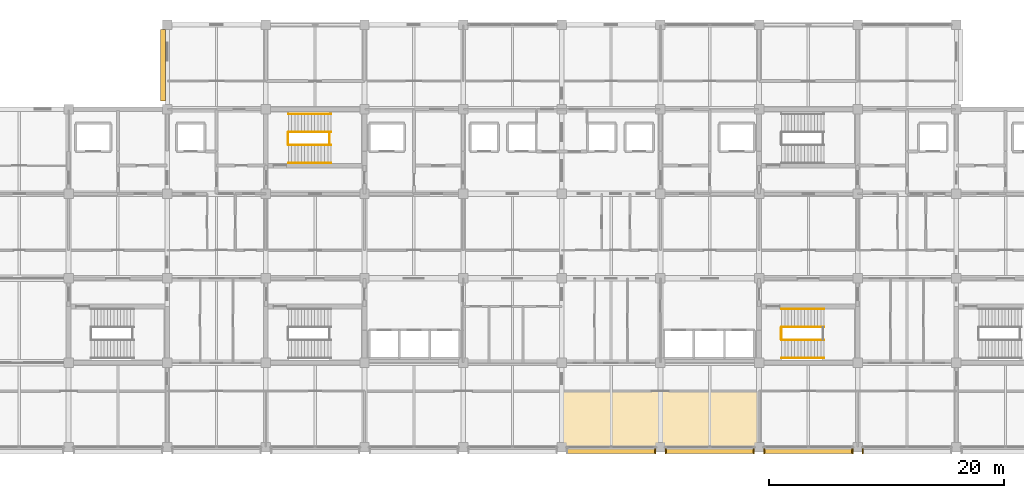
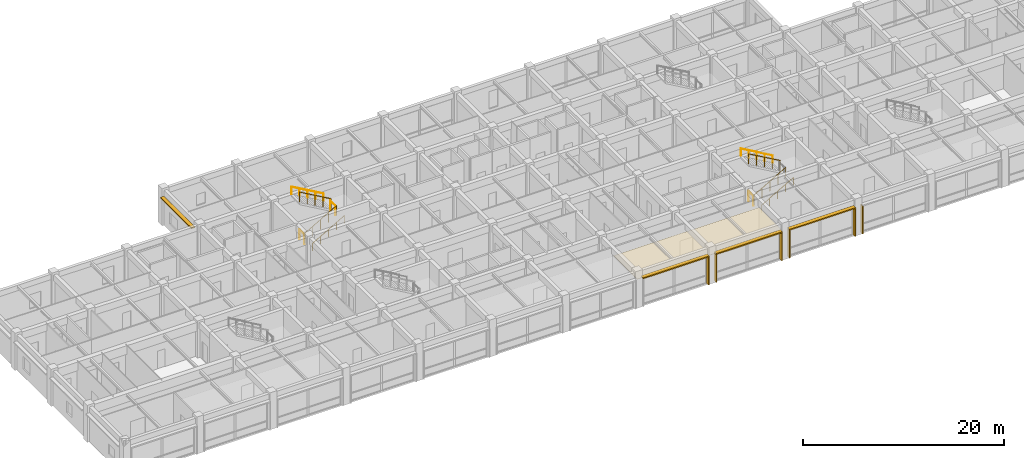
# One storey, part 29 of 30: 11 railings, 10 shading devices, 1 covering.
"""IFC4 building model written with IfcOpenShell, lengths in metres."""

from ifc_helpers import new_model, si_unit, direction, frame, origin, origin_2d, place, context, subcontext, project, spatial, polyline, rectangle, circle, outline, extrude, material, layer, layer_set, type_object, element, save


model = new_model("IFC4")

# Units and contexts
model_context = context("Model", 3, precision=1e-05, world=origin(), true_north=direction((0.0, 1.0)))
body_context = subcontext(model_context, "Body", "Model", "MODEL_VIEW")
ifc_project = project(units=[si_unit("LENGTHUNIT", "METRE"), si_unit("AREAUNIT", "SQUARE_METRE"), si_unit("VOLUMEUNIT", "CUBIC_METRE"), si_unit("PLANEANGLEUNIT", "RADIAN"), si_unit("MASSUNIT", "GRAM", prefix="KILO")], contexts=[model_context])

# Site, building, storey
site_placement = place(None, origin())
site = spatial("IfcSite", under=ifc_project, at=site_placement, CompositionType="ELEMENT")
building_placement = place(site_placement, origin())
building = spatial("IfcBuilding", under=site, at=building_placement, Name="Chengyuan Square Courthouse", CompositionType="ELEMENT")
storey_placement = place(building_placement, frame((0.0, 0.0, 26.10009765625)))
storey = spatial("IfcBuildingStorey", under=building, at=storey_placement, Name="L06", CompositionType="ELEMENT", Elevation=26.10009765625)

# Covering
ifc_material_1 = material(Name="Perforated Larch Glulam Acoustic Slat Ceiling", Category="wood")
ifc_layer = layer(ifc_material_1, 0.044921875)
ifc_layer_set = layer_set([ifc_layer], Name="Perforated Larch Glulam Acoustic Slat Ceiling")
covering_type = type_object("IfcCoveringType", Name="CLG-01", PredefinedType="CEILING", material=ifc_layer_set)
covering_placement = place(storey_placement, frame((0.0, 0.0, 3.139892578125)))
element("IfcCovering", 1, at=covering_placement, inside=storey, type_object=covering_type, Name="Acoustic Timber Slat Ceiling CLG-L06-CRT-M4", PredefinedType="CEILING", context=body_context, shape_type="SweptSolid", body=[
    extrude(outline(polyline([(84.050048828125, 79.25), (100.75, 79.25), (100.75, 83.949951171875), (84.050048828125, 83.949951171875), (84.050048828125, 79.25)])), origin(), (0.0, 0.0, 1.0), 0.044921875),
])

# Railings
ifc_material_2 = material(Name="Tempered Glass and Timber Top-Rail Balustrade", Category="wood")
railing_type_1 = type_object("IfcRailingType", Name="RL-02", PredefinedType="BALUSTRADE", material=ifc_material_2)
for number, where, name in (
    (2, (60.68994140625, 105.0, 0.0), "Stair Floor Slot Guard ST-1 L06"),
    (3, (64.22998046875, 105.0, 2.25), "Stair Landing Guard ST-1-L06"),
):
    element("IfcRailing", number, at=place(storey_placement, frame(where)), inside=storey, type_object=railing_type_1, Name=name, PredefinedType="BALUSTRADE", context=body_context, shape_type="SweptSolid", body=[
        extrude(circle(Radius=0.02392578125, at=origin_2d()), frame((0.0, 0.0, 1.17578125), z_axis=(0.0, 1.0, 0.0), x_axis=(-1.0, 0.0, 0.0)), (0.0, 0.0, 1.0), 1.0),
        extrude(circle(Radius=0.02099609375, at=origin_2d()), origin(), (0.0, 0.0, 1.0), 1.15185546875),
        extrude(circle(Radius=0.02099609375, at=origin_2d()), frame((0.0, 1.0, 0.0)), (0.0, 0.0, 1.0), 1.15185546875),
    ])
railing_1_placement = place(storey_placement, frame((60.7099609375, 104.949951171875, 0.16064453125)))
element("IfcRailing", 4, at=railing_1_placement, inside=storey, type_object=railing_type_1, Name="Stair Flight 1 Guard ST-1-L06", PredefinedType="BALUSTRADE", context=body_context, shape_type="SweptSolid", body=[
    extrude(circle(Radius=0.02392578125, at=origin_2d()), frame((0.0, 0.0, 1.17578125), z_axis=(0.867289372828, 0.0, 0.497804322781), x_axis=(0.0, 1.0, 0.0)), (0.0, 0.0, 1.0), 4.197021484375),
    extrude(circle(Radius=0.02099609375, at=origin_2d()), origin(), (0.0, 0.0, 1.0), 1.15185546875),
    extrude(circle(Radius=0.02099609375, at=origin_2d()), frame((0.91015625, 0.0, 0.5224609375)), (0.0, 0.0, 1.0), 1.15185546875),
    extrude(circle(Radius=0.02099609375, at=origin_2d()), frame((1.820068359375, 0.0, 1.044677734375)), (0.0, 0.0, 1.0), 1.15185546875),
    extrude(circle(Radius=0.02099609375, at=origin_2d()), frame((2.72998046875, 0.0, 1.56689453125)), (0.0, 0.0, 1.0), 1.15185546875),
    extrude(circle(Radius=0.02099609375, at=origin_2d()), frame((3.64013671875, 0.0, 2.08935546875)), (0.0, 0.0, 1.0), 1.15185546875),
])
railing_2_placement = place(storey_placement, frame((64.35009765625, 106.050048828125, 2.41064453125)))
element("IfcRailing", 5, at=railing_2_placement, inside=storey, type_object=railing_type_1, Name="Stair Flight 2 Guard ST-1-L06", PredefinedType="BALUSTRADE", context=body_context, shape_type="SweptSolid", body=[
    extrude(circle(Radius=0.02392578125, at=origin_2d()), frame((0.0, 0.0, 1.17578125), z_axis=(-0.867289372828, 0.0, 0.497804322781), x_axis=(0.0, -1.0, 0.0)), (0.0, 0.0, 1.0), 4.197021484375),
    extrude(circle(Radius=0.02099609375, at=origin_2d()), origin(), (0.0, 0.0, 1.0), 1.15185546875),
    extrude(circle(Radius=0.02099609375, at=origin_2d()), frame((-0.91015625, 0.0, 0.5224609375)), (0.0, 0.0, 1.0), 1.15185546875),
    extrude(circle(Radius=0.02099609375, at=origin_2d()), frame((-1.820068359375, 0.0, 1.044677734375)), (0.0, 0.0, 1.0), 1.15185546875),
    extrude(circle(Radius=0.02099609375, at=origin_2d()), frame((-2.72998046875, 0.0, 1.56689453125)), (0.0, 0.0, 1.0), 1.15185546875),
    extrude(circle(Radius=0.02099609375, at=origin_2d()), frame((-3.64013671875, 0.0, 2.08935546875)), (0.0, 0.0, 1.0), 1.15185546875),
])
railing_3_placement = place(storey_placement, frame((102.68994140625, 88.39990234375, 0.0)))
element("IfcRailing", 6, at=railing_3_placement, inside=storey, type_object=railing_type_1, Name="Stair Floor Slot Guard ST-4 L06", PredefinedType="BALUSTRADE", context=body_context, shape_type="SweptSolid", body=[
    extrude(circle(Radius=0.02392578125, at=origin_2d()), frame((0.0, 0.0, 1.17578125), z_axis=(0.0, 1.0, 0.0), x_axis=(-1.0, 0.0, 0.0)), (0.0, 0.0, 1.0), 1.0),
    extrude(circle(Radius=0.02099609375, at=origin_2d()), origin(), (0.0, 0.0, 1.0), 1.15185546875),
    extrude(circle(Radius=0.02099609375, at=origin_2d()), frame((0.0, 1.0, 0.0)), (0.0, 0.0, 1.0), 1.15185546875),
])
railing_4_placement = place(storey_placement, frame((102.7099609375, 88.35009765625, 0.16064453125)))
element("IfcRailing", 7, at=railing_4_placement, inside=storey, type_object=railing_type_1, Name="Stair Flight 1 Guard ST-4-L06", PredefinedType="BALUSTRADE", context=body_context, shape_type="SweptSolid", body=[
    extrude(circle(Radius=0.02392578125, at=origin_2d()), frame((0.0, 0.0, 1.17578125), z_axis=(0.867289372828, 0.0, 0.497804322781), x_axis=(0.0, 1.0, 0.0)), (0.0, 0.0, 1.0), 4.197021484375),
    extrude(circle(Radius=0.02099609375, at=origin_2d()), origin(), (0.0, 0.0, 1.0), 1.15185546875),
    extrude(circle(Radius=0.02099609375, at=origin_2d()), frame((0.91015625, 0.0, 0.5224609375)), (0.0, 0.0, 1.0), 1.15185546875),
    extrude(circle(Radius=0.02099609375, at=origin_2d()), frame((1.820068359375, 0.0, 1.044677734375)), (0.0, 0.0, 1.0), 1.15185546875),
    extrude(circle(Radius=0.02099609375, at=origin_2d()), frame((2.72998046875, 0.0, 1.56689453125)), (0.0, 0.0, 1.0), 1.15185546875),
    extrude(circle(Radius=0.02099609375, at=origin_2d()), frame((3.64013671875, 0.0, 2.08935546875)), (0.0, 0.0, 1.0), 1.15185546875),
])
railing_5_placement = place(storey_placement, frame((106.35009765625, 89.449951171875, 2.41064453125)))
element("IfcRailing", 8, at=railing_5_placement, inside=storey, type_object=railing_type_1, Name="Stair Flight 2 Guard ST-4-L06", PredefinedType="BALUSTRADE", context=body_context, shape_type="SweptSolid", body=[
    extrude(circle(Radius=0.02392578125, at=origin_2d()), frame((0.0, 0.0, 1.17578125), z_axis=(-0.867289372828, 0.0, 0.497804322781), x_axis=(0.0, -1.0, 0.0)), (0.0, 0.0, 1.0), 4.197021484375),
    extrude(circle(Radius=0.02099609375, at=origin_2d()), origin(), (0.0, 0.0, 1.0), 1.15185546875),
    extrude(circle(Radius=0.02099609375, at=origin_2d()), frame((-0.91015625, 0.0, 0.5224609375)), (0.0, 0.0, 1.0), 1.15185546875),
    extrude(circle(Radius=0.02099609375, at=origin_2d()), frame((-1.820068359375, 0.0, 1.044677734375)), (0.0, 0.0, 1.0), 1.15185546875),
    extrude(circle(Radius=0.02099609375, at=origin_2d()), frame((-2.72998046875, 0.0, 1.56689453125)), (0.0, 0.0, 1.0), 1.15185546875),
    extrude(circle(Radius=0.02099609375, at=origin_2d()), frame((-3.64013671875, 0.0, 2.08935546875)), (0.0, 0.0, 1.0), 1.15185546875),
])
ifc_material_3 = material(Name="Stainless Steel S30408 Stair Handrail", Category="steel")
railing_type_2 = type_object("IfcRailingType", Name="RL-04", PredefinedType="HANDRAIL", material=ifc_material_3)
railing_6_placement = place(storey_placement, frame((60.7099609375, 103.419921875, 0.16064453125)))
element("IfcRailing", 9, at=railing_6_placement, inside=storey, type_object=railing_type_2, Name="Stair Flight 1 Handrail ST-1-L06", PredefinedType="HANDRAIL", context=body_context, shape_type="SweptSolid", body=[
    extrude(circle(Radius=0.02392578125, at=origin_2d()), frame((0.0, 0.0, 0.8759765625), z_axis=(0.867289372828, 0.0, 0.497804322781), x_axis=(0.0, 1.0, 0.0)), (0.0, 0.0, 1.0), 4.197021484375),
    extrude(circle(Radius=0.02099609375, at=origin_2d()), origin(), (0.0, 0.0, 1.0), 0.851806640625),
    extrude(circle(Radius=0.02099609375, at=origin_2d()), frame((0.91015625, 0.0, 0.5224609375)), (0.0, 0.0, 1.0), 0.851806640625),
    extrude(circle(Radius=0.02099609375, at=origin_2d()), frame((1.820068359375, 0.0, 1.044677734375)), (0.0, 0.0, 1.0), 0.851806640625),
    extrude(circle(Radius=0.02099609375, at=origin_2d()), frame((2.72998046875, 0.0, 1.56689453125)), (0.0, 0.0, 1.0), 0.851806640625),
    extrude(circle(Radius=0.02099609375, at=origin_2d()), frame((3.64013671875, 0.0, 2.08935546875)), (0.0, 0.0, 1.0), 0.851806640625),
])
railing_7_placement = place(storey_placement, frame((64.35009765625, 107.580078125, 2.41064453125)))
element("IfcRailing", 10, at=railing_7_placement, inside=storey, type_object=railing_type_2, Name="Stair Flight 2 Handrail ST-1-L06", PredefinedType="HANDRAIL", context=body_context, shape_type="SweptSolid", body=[
    extrude(circle(Radius=0.02392578125, at=origin_2d()), frame((0.0, 0.0, 0.8759765625), z_axis=(-0.867289372828, 0.0, 0.497804322781), x_axis=(0.0, -1.0, 0.0)), (0.0, 0.0, 1.0), 4.197021484375),
    extrude(circle(Radius=0.02099609375, at=origin_2d()), origin(), (0.0, 0.0, 1.0), 0.851806640625),
    extrude(circle(Radius=0.02099609375, at=origin_2d()), frame((-0.91015625, 0.0, 0.5224609375)), (0.0, 0.0, 1.0), 0.851806640625),
    extrude(circle(Radius=0.02099609375, at=origin_2d()), frame((-1.820068359375, 0.0, 1.044677734375)), (0.0, 0.0, 1.0), 0.851806640625),
    extrude(circle(Radius=0.02099609375, at=origin_2d()), frame((-2.72998046875, 0.0, 1.56689453125)), (0.0, 0.0, 1.0), 0.851806640625),
    extrude(circle(Radius=0.02099609375, at=origin_2d()), frame((-3.64013671875, 0.0, 2.08935546875)), (0.0, 0.0, 1.0), 0.851806640625),
])
railing_8_placement = place(storey_placement, frame((102.7099609375, 86.820068359375, 0.16064453125)))
element("IfcRailing", 11, at=railing_8_placement, inside=storey, type_object=railing_type_2, Name="Stair Flight 1 Handrail ST-4-L06", PredefinedType="HANDRAIL", context=body_context, shape_type="SweptSolid", body=[
    extrude(circle(Radius=0.02392578125, at=origin_2d()), frame((0.0, 0.0, 0.8759765625), z_axis=(0.867289372828, 0.0, 0.497804322781), x_axis=(0.0, 1.0, 0.0)), (0.0, 0.0, 1.0), 4.197021484375),
    extrude(circle(Radius=0.02099609375, at=origin_2d()), origin(), (0.0, 0.0, 1.0), 0.851806640625),
    extrude(circle(Radius=0.02099609375, at=origin_2d()), frame((0.91015625, 0.0, 0.5224609375)), (0.0, 0.0, 1.0), 0.851806640625),
    extrude(circle(Radius=0.02099609375, at=origin_2d()), frame((1.820068359375, 0.0, 1.044677734375)), (0.0, 0.0, 1.0), 0.851806640625),
    extrude(circle(Radius=0.02099609375, at=origin_2d()), frame((2.72998046875, 0.0, 1.56689453125)), (0.0, 0.0, 1.0), 0.851806640625),
    extrude(circle(Radius=0.02099609375, at=origin_2d()), frame((3.64013671875, 0.0, 2.08935546875)), (0.0, 0.0, 1.0), 0.851806640625),
])
railing_9_placement = place(storey_placement, frame((106.35009765625, 90.97998046875, 2.41064453125)))
element("IfcRailing", 12, at=railing_9_placement, inside=storey, type_object=railing_type_2, Name="Stair Flight 2 Handrail ST-4-L06", PredefinedType="HANDRAIL", context=body_context, shape_type="SweptSolid", body=[
    extrude(circle(Radius=0.02392578125, at=origin_2d()), frame((0.0, 0.0, 0.8759765625), z_axis=(-0.867289372828, 0.0, 0.497804322781), x_axis=(0.0, -1.0, 0.0)), (0.0, 0.0, 1.0), 4.197021484375),
    extrude(circle(Radius=0.02099609375, at=origin_2d()), origin(), (0.0, 0.0, 1.0), 0.851806640625),
    extrude(circle(Radius=0.02099609375, at=origin_2d()), frame((-0.91015625, 0.0, 0.5224609375)), (0.0, 0.0, 1.0), 0.851806640625),
    extrude(circle(Radius=0.02099609375, at=origin_2d()), frame((-1.820068359375, 0.0, 1.044677734375)), (0.0, 0.0, 1.0), 0.851806640625),
    extrude(circle(Radius=0.02099609375, at=origin_2d()), frame((-2.72998046875, 0.0, 1.56689453125)), (0.0, 0.0, 1.0), 0.851806640625),
    extrude(circle(Radius=0.02099609375, at=origin_2d()), frame((-3.64013671875, 0.0, 2.08935546875)), (0.0, 0.0, 1.0), 0.851806640625),
])

# Shading devices
ifc_material_4 = material(Name="Glulam TCt28 Solar Shading Fin", Category="wood")
shading_device_type_1 = type_object("IfcShadingDeviceType", Name="SHD-01", PredefinedType="JALOUSIE", material=ifc_material_4)
for number, where, z_axis, x_axis, name in (
    (13, (91.9599609375, 78.887939453125, 0.0400390625), (0.0, 0.0, 1.0), (0.0, 1.0, 0.0), "Glulam Solar Fin SHD-L06-0604"),
    (14, (92.840087890625, 78.887939453125, 0.0400390625), (0.0, 0.0, 1.0), (0.0, 1.0, 0.0), "Glulam Solar Fin SHD-L06-0606"),
    (15, (100.360107421875, 78.887939453125, 0.0400390625), (0.0, 0.0, 1.0), (0.0, 1.0, 0.0), "Glulam Solar Fin SHD-L06-0607"),
    (16, (101.239990234375, 78.887939453125, 0.0400390625), (0.0, 0.0, 1.0), (0.0, 1.0, 0.0), "Glulam Solar Fin SHD-L06-0609"),
    (17, (108.760009765625, 78.887939453125, 0.0400390625), (0.0, 0.0, 1.0), (0.0, 1.0, 0.0), "Glulam Solar Fin SHD-L06-0610"),
    (18, (109.639892578125, 78.887939453125, 0.0400390625), (0.0, 0.0, 1.0), (0.0, 1.0, 0.0), "Glulam Solar Fin SHD-L06-0612"),
):
    element("IfcShadingDevice", number, at=place(storey_placement, frame(where, z_axis=z_axis, x_axis=x_axis)), inside=storey, type_object=shading_device_type_1, Name=name, PredefinedType="JALOUSIE", context=body_context, shape_type="SweptSolid", body=[
        extrude(rectangle(XDim=0.419921875, YDim=0.094970703125, at=origin_2d()), origin(), (0.0, 0.0, 1.0), 3.3798828125),
    ])
ifc_material_5 = material(Name="Glulam TCt28 Sunshade Louvre", Category="wood")
shading_device_type_2 = type_object("IfcShadingDeviceType", Name="SHD-02", PredefinedType="AWNING", material=ifc_material_5)
for number, where, z_axis, x_axis, name in (
    (19, (88.199951171875, 78.887939453125, 3.419921875), (0.0, 0.0, 1.0), (1.0, 0.0, 0.0), "Glulam Sunshade Louvre SHD-L06-0605"),
    (20, (96.60009765625, 78.887939453125, 3.419921875), (0.0, 0.0, 1.0), (1.0, 0.0, 0.0), "Glulam Sunshade Louvre SHD-L06-0608"),
    (21, (105.0, 78.887939453125, 3.419921875), (0.0, 0.0, 1.0), (1.0, 0.0, 0.0), "Glulam Sunshade Louvre SHD-L06-0611"),
):
    element("IfcShadingDevice", number, at=place(storey_placement, frame(where, z_axis=z_axis, x_axis=x_axis)), inside=storey, type_object=shading_device_type_2, Name=name, PredefinedType="AWNING", context=body_context, shape_type="SweptSolid", body=[
        extrude(rectangle(XDim=7.60009765625, YDim=0.43994140625, at=origin_2d()), origin(), (0.0, 0.0, 1.0), 0.139892578125),
    ])
ifc_material_6 = material(Name="Glulam TCt28 Facade Sunshade", Category="wood")
shading_device_type_3 = type_object("IfcShadingDeviceType", Name="SHD-03", PredefinedType="AWNING", material=ifc_material_6)
shading_device_placement = place(storey_placement, frame((50.032958984375, 111.75, 3.39990234375), z_axis=(0.0, 0.0, 1.0), x_axis=(0.0, 1.0, 0.0)))
element("IfcShadingDevice", 22, at=shading_device_placement, inside=storey, type_object=shading_device_type_3, Name="Glulam Facade Sunshade SHD-L06-0593", PredefinedType="AWNING", context=body_context, shape_type="SweptSolid", body=[
    extrude(rectangle(XDim=6.110107421875, YDim=0.39990234375, at=origin_2d()), origin(), (0.0, 0.0, 1.0), 0.139892578125),
])

save(model, "model.ifc")
